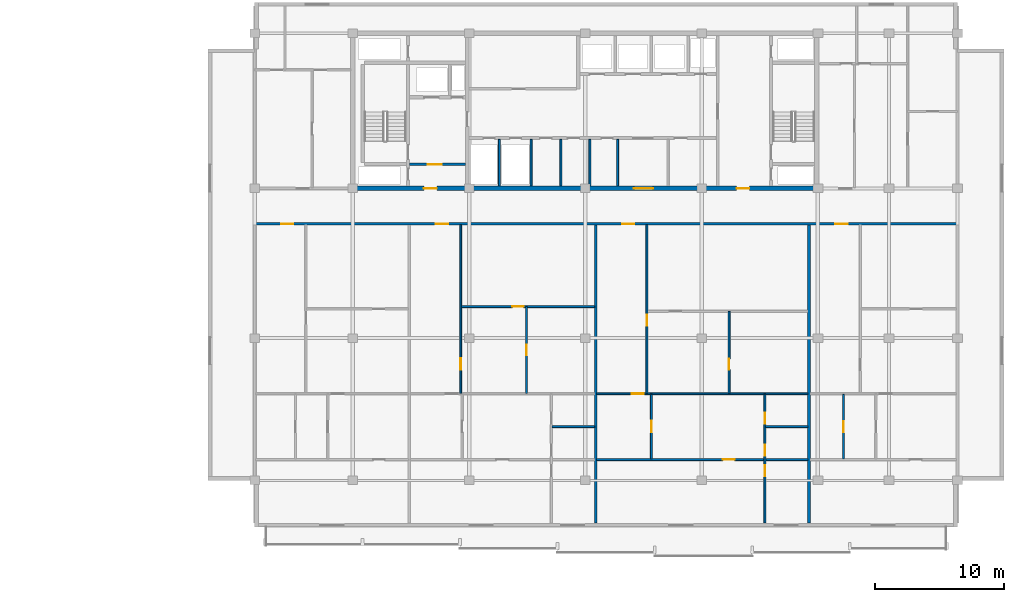
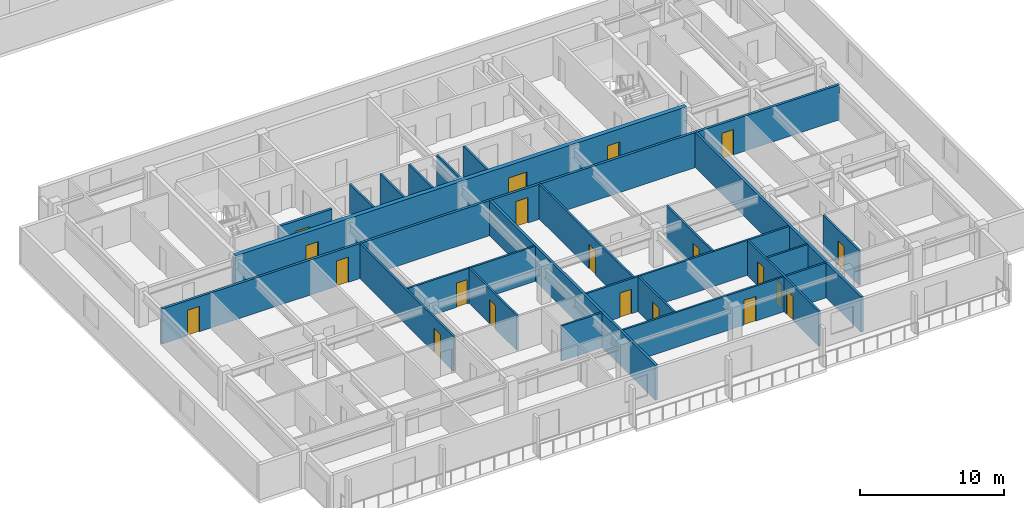
# One storey, part 5 of 21: 22 walls, 20 doors, 20 openings.
"""IFC4 building model written with IfcOpenShell, lengths in metres."""

import ifcopenshell
import ifcopenshell.guid

model = None  # the IFC model being written
_history = None  # IfcOwnerHistory: only IFC2X3 demands one
_inside = {}  # id of a spatial element -> (the spatial element, [elements in it])
_under = {}  # id of a project, library or spatial element -> (it, [spatial elements below it])
_declared = {}  # id of a project -> (the project, [libraries it declares])
_typed = {}  # id of a type object -> (the type object, [elements of that type])
_made_of = {}  # id of a material, layer set ... -> (it, [elements and type objects made of it])


def new_model(schema):
    """Start an empty IFC model of exactly this schema.

    Asked for "IFC4X3", IfcOpenShell would pick the latest addendum, in which some entities
    have other attributes; the version numbers below select the first issue.
    IFC2X3 requires an IfcOwnerHistory on every rooted entity: one is made here for all.
    """
    global model, _history
    if schema == "IFC4X3":
        model = ifcopenshell.file(schema_version=(4, 3, 0, 0))
    else:
        model = ifcopenshell.file(schema=schema)
    _inside.clear()
    _under.clear()
    _declared.clear()
    _typed.clear()
    _made_of.clear()
    _history = None
    if model.schema == "IFC2X3":
        org = make("IfcOrganization", Name="unknown")
        user = make(
            "IfcPersonAndOrganization",
            ThePerson=make("IfcPerson", FamilyName="unknown"),
            TheOrganization=org,
        )
        app = make(
            "IfcApplication",
            ApplicationDeveloper=org,
            Version="unknown",
            ApplicationFullName="unknown",
            ApplicationIdentifier="unknown",
        )
        _history = make(
            "IfcOwnerHistory",
            OwningUser=user,
            OwningApplication=app,
            ChangeAction="ADDED",
            CreationDate=0,
        )
    return model


def make(cls, **values):
    """One entity of the class cls with the attributes given. An attribute that is None is left unset."""
    return model.create_entity(
        cls, **{name: value for name, value in values.items() if value is not None}
    )


def rooted(cls, **values):
    """An entity with a GlobalId (a new one), such as an element, a storey or a relation."""
    return make(cls, GlobalId=ifcopenshell.guid.new(), OwnerHistory=_history, **values)


def si_unit(unit_type, name, prefix=None):
    """IfcSIUnit, for example si_unit("LENGTHUNIT", "METRE", prefix="MILLI")."""
    return make("IfcSIUnit", UnitType=unit_type, Prefix=prefix, Name=name)


def assignment(units):
    """IfcUnitAssignment: the units of a project."""
    return None if units is None else make("IfcUnitAssignment", Units=units)


def point(xyz):
    """IfcCartesianPoint."""
    return None if xyz is None else make("IfcCartesianPoint", Coordinates=xyz)


def direction(xyz):
    """IfcDirection."""
    return None if xyz is None else make("IfcDirection", DirectionRatios=xyz)


def frame(location, z_axis=None, x_axis=None):
    """IfcAxis2Placement3D, a coordinate frame: its origin and axes. An axis left out is left unset."""
    return make(
        "IfcAxis2Placement3D",
        Location=point(location),
        Axis=direction(z_axis),
        RefDirection=direction(x_axis),
    )


def frame_2d(location, x_axis=None):
    """IfcAxis2Placement2D, a coordinate frame in the plane: its origin and x axis."""
    return make(
        "IfcAxis2Placement2D", Location=point(location), RefDirection=direction(x_axis)
    )


def origin():
    """The frame at (0, 0, 0) with its axes left unset."""
    return frame((0.0, 0.0, 0.0))


def place(relative_to, where):
    """IfcLocalPlacement: puts the frame where relative to a parent placement (None: the world)."""
    return make(
        "IfcLocalPlacement", PlacementRelTo=relative_to, RelativePlacement=where
    )


def context(
    kind, dimensions, precision=None, world=None, true_north=None, identifier=None
):
    """IfcGeometricRepresentationContext, for example the 3D "Model" context."""
    return make(
        "IfcGeometricRepresentationContext",
        ContextIdentifier=identifier,
        ContextType=kind,
        CoordinateSpaceDimension=dimensions,
        Precision=precision,
        WorldCoordinateSystem=world,
        TrueNorth=true_north,
    )


def subcontext(parent, identifier, kind, view, scale=None):
    """IfcGeometricRepresentationSubContext, for example "Body" below "Model"."""
    return make(
        "IfcGeometricRepresentationSubContext",
        ContextIdentifier=identifier,
        ContextType=kind,
        ParentContext=parent,
        TargetScale=scale,
        TargetView=view,
    )


def project(units=None, contexts=None):
    """IfcProject with its units and contexts."""
    return rooted(
        "IfcProject",
        Name="project",
        RepresentationContexts=contexts,
        UnitsInContext=assignment(units),
    )


def spatial(cls, under=None, at=None, **own):
    """A site, building, storey or space (cls), placed at a placement, below another one or the project."""
    s = rooted(cls, ObjectPlacement=at, **own)
    if under is not None:
        _under.setdefault(under.id(), (under, []))[1].append(s)
    return s


def profile(cls, at=None, kind="AREA", **sizes):
    """A parametric profile (cls). Its sizes go by their IFC names, for example OverallWidth=200.0."""
    return make(cls, ProfileType=kind, Position=at, **sizes)


def rectangle(**sizes):
    """IfcRectangleProfileDef."""
    return profile("IfcRectangleProfileDef", **sizes)


def extrude(swept, where, along, depth):
    """IfcExtrudedAreaSolid: the profile swept, set in the frame where, extruded along a direction by depth."""
    return make(
        "IfcExtrudedAreaSolid",
        SweptArea=swept,
        Position=where,
        ExtrudedDirection=direction(along),
        Depth=depth,
    )


def shape(context_of_items, identifier, shape_type, items):
    """IfcShapeRepresentation: the items that make up one representation, for example the "Body"."""
    return make(
        "IfcShapeRepresentation",
        ContextOfItems=context_of_items,
        RepresentationIdentifier=identifier,
        RepresentationType=shape_type,
        Items=items,
    )


def material(Name=None, Category=None):
    """IfcMaterial."""
    return make("IfcMaterial", Name=Name, Category=Category)


def layer(
    of_material, thickness, ventilated=None, Name=None, Category=None, Priority=None
):
    """IfcMaterialLayer: one layer of a wall or slab, of a material (None: an air gap)."""
    return make(
        "IfcMaterialLayer",
        Material=of_material,
        LayerThickness=thickness,
        IsVentilated=ventilated,
        Name=Name,
        Category=Category,
        Priority=Priority,
    )


def layer_set(layers, Name=None):
    """IfcMaterialLayerSet."""
    return make("IfcMaterialLayerSet", MaterialLayers=layers, LayerSetName=Name)


def made_of(thing, what):
    """Note that an element or type object is made of a material, layer set ...; save() writes the relation."""
    if what is not None:
        _made_of.setdefault(what.id(), (what, []))[1].append(thing)
    return thing


def type_object(cls, material=None, **own):
    """A type object (cls), such as IfcWallType, which elements share."""
    return made_of(rooted(cls, **own), material)


def element(
    cls,
    number,
    at=None,
    inside=None,
    cuts=None,
    type_object=None,
    material=None,
    context=None,
    identifier="Body",
    shape_type=None,
    held_by="IfcProductDefinitionShape",
    body=None,
    shapes=None,
    **own,
):
    """One element of the class cls, such as IfcWall. Its Tag is "e" and its number.

    at: its placement. inside: the storey or other place that contains it. cuts: it is an
    opening in that element (IfcRelVoidsElement). A single representation is given by context,
    identifier, shape_type and body (its items); several are given by shapes. held_by: the class
    of the entity that holds the representations. save() writes the other relations.
    """
    e = rooted(cls, Tag="e%d" % number, ObjectPlacement=at, **own)
    if body is not None:
        shapes = [shape(context, identifier, shape_type, body)]
    if shapes is not None:
        e.Representation = make(held_by, Representations=shapes)
    if inside is not None:
        _inside.setdefault(inside.id(), (inside, []))[1].append(e)
    if cuts is not None:
        rooted(
            "IfcRelVoidsElement", RelatingBuildingElement=cuts, RelatedOpeningElement=e
        )
    if type_object is not None:
        _typed.setdefault(type_object.id(), (type_object, []))[1].append(e)
    return made_of(e, material)


def fill(opening, filler):
    """IfcRelFillsElement: the door or window that sits in an opening."""
    return rooted(
        "IfcRelFillsElement",
        RelatingOpeningElement=opening,
        RelatedBuildingElement=filler,
    )


def aggregate(whole, parts):
    """IfcRelAggregates: a whole, such as a stair, and the parts it consists of."""
    return rooted("IfcRelAggregates", RelatingObject=whole, RelatedObjects=parts)


def save(model, path):
    """Write the relations noted so far, then the file.

    IfcRelAggregates (storeys below a building ...), IfcRelContainedInSpatialStructure (elements
    in a storey), IfcRelDefinesByType, IfcRelAssociatesMaterial and IfcRelDeclares: one each for
    every whole, place, type object, material and project.
    """
    for whole, parts in _under.values():
        aggregate(whole, parts)
    for where, things in _inside.values():
        rooted(
            "IfcRelContainedInSpatialStructure",
            RelatedElements=things,
            RelatingStructure=where,
        )
    for kind, things in _typed.values():
        rooted("IfcRelDefinesByType", RelatedObjects=things, RelatingType=kind)
    for what, things in _made_of.values():
        rooted("IfcRelAssociatesMaterial", RelatedObjects=things, RelatingMaterial=what)
    for by, libraries in _declared.values():
        rooted("IfcRelDeclares", RelatingContext=by, RelatedDefinitions=libraries)
    model.write(path)


model = new_model("IFC4")

# Units and contexts
model_context = context("Model", 3, precision=1e-05, world=origin(), true_north=direction((0.0, 1.0)))
body_context = subcontext(model_context, "Body", "Model", "MODEL_VIEW")
ifc_project = project(units=[si_unit("LENGTHUNIT", "METRE"), si_unit("AREAUNIT", "SQUARE_METRE"), si_unit("VOLUMEUNIT", "CUBIC_METRE"), si_unit("PLANEANGLEUNIT", "RADIAN"), si_unit("MASSUNIT", "GRAM", prefix="KILO")], contexts=[model_context])

# Site, building, storey
site_placement = place(None, origin())
site = spatial("IfcSite", under=ifc_project, at=site_placement, CompositionType="ELEMENT")
building_placement = place(site_placement, origin())
building = spatial("IfcBuilding", under=site, at=building_placement, Name="Korimba Cascade Residences", CompositionType="ELEMENT")
storey_placement = place(building_placement, frame((0.0, 0.0, 188.10009765625)))
storey = spatial("IfcBuildingStorey", under=building, at=storey_placement, Name="L54", CompositionType="ELEMENT", Elevation=188.10009765625)

# Wall, openings, doors
ifc_material_1 = material(Name="Concrete C65/80", Category="concrete")
ifc_layer_1 = layer(ifc_material_1, 0.35009765625)
ifc_layer_set_1 = layer_set([ifc_layer_1], Name="Concrete C65/80")
wall_type_1 = type_object("IfcWallType", Name="WAL-CORE-350", PredefinedType="SHEAR", material=ifc_layer_set_1)
wall_1_placement = place(storey_placement, frame((81.925048828125, 18.39990234375, 0.0), z_axis=(0.0, 0.0, 1.0), x_axis=(1.0, 0.0, 0.0)))
wall_1 = element("IfcWall", 1, at=wall_1_placement, inside=storey, type_object=wall_type_1, Name="L54 Core Shear Wall CW-L54-T2-S", PredefinedType="SHEAR", context=body_context, shape_type="SweptSolid", body=[
    extrude(rectangle(XDim=36.264892578125, YDim=0.35009765625, at=frame_2d((18.13232421875, 0.0))), origin(), (0.0, 0.0, 1.0), 3.25),
])
opening_1_placement = place(wall_1_placement, frame((5.675048828125, 0.0, 0.0)))
opening_1 = element("IfcOpeningElement", 2, at=opening_1_placement, cuts=wall_1, Name="Opening D-FD5", PredefinedType="OPENING", context=body_context, shape_type="SweptSolid", body=[
    extrude(rectangle(XDim=1.0, YDim=2.14990234375, at=frame_2d((0.5, 1.074951171875))), frame((0.0, 0.18505859375, 0.0), z_axis=(0.0, -1.0, 0.0), x_axis=(1.0, 0.0, 0.0)), (0.0, 0.0, 1.0), 0.3701171875),
])
opening_2_placement = place(wall_1_placement, frame((21.925048828125, 0.0, 0.0)))
opening_2 = element("IfcOpeningElement", 3, at=opening_2_placement, cuts=wall_1, Name="Opening D-FD8", PredefinedType="OPENING", context=body_context, shape_type="SweptSolid", body=[
    extrude(rectangle(XDim=1.5, YDim=2.199951171875, at=frame_2d((0.75, 1.10009765625))), frame((0.0, 0.18505859375, 0.0), z_axis=(0.0, -1.0, 0.0), x_axis=(1.0, 0.0, 0.0)), (0.0, 0.0, 1.0), 0.3701171875),
])
opening_3_placement = place(wall_1_placement, frame((29.875, 0.0, 0.0)))
opening_3 = element("IfcOpeningElement", 4, at=opening_3_placement, cuts=wall_1, Name="Opening D-FD5", PredefinedType="OPENING", context=body_context, shape_type="SweptSolid", body=[
    extrude(rectangle(XDim=1.0, YDim=2.14990234375, at=frame_2d((0.5, 1.074951171875))), frame((0.0, 0.18505859375, 0.0), z_axis=(0.0, -1.0, 0.0), x_axis=(1.0, 0.0, 0.0)), (0.0, 0.0, 1.0), 0.3701171875),
])
ifc_material_2 = material(Name="Fire-Rated Acoustic Timber Vestibule Door", Category="wood")
door_type_1 = type_object("IfcDoorType", Name="DR-FD90-1000", OperationType="NOTDEFINED", PredefinedType="DOOR", material=ifc_material_2)
door_1_placement = place(opening_1_placement, origin())
door_1 = element("IfcDoor", 5, at=door_1_placement, inside=storey, type_object=door_type_1, Name="L54 T2 West Core Vestibule Fire Door", OperationType="SINGLE_SWING_RIGHT", OverallHeight=2.14990234375, OverallWidth=1.0, PredefinedType="DOOR", context=body_context, shape_type="SweptSolid", body=[
    extrude(rectangle(XDim=1.0, YDim=2.14990234375, at=frame_2d((0.5, 1.074951171875))), frame((0.0, 0.02490234375, 0.0), z_axis=(0.0, -1.0, 0.0), x_axis=(1.0, 0.0, 0.0)), (0.0, 0.0, 1.0), 0.050048828125),
])
fill(opening_1, door_1)
door_2_placement = place(opening_3_placement, origin())
door_2 = element("IfcDoor", 6, at=door_2_placement, inside=storey, type_object=door_type_1, Name="L54 T2 East Stair Vestibule Fire Door", OperationType="SINGLE_SWING_LEFT", OverallHeight=2.14990234375, OverallWidth=1.0, PredefinedType="DOOR", context=body_context, shape_type="SweptSolid", body=[
    extrude(rectangle(XDim=1.0, YDim=2.14990234375, at=frame_2d((0.5, 1.074951171875))), frame((0.0, 0.02490234375, 0.0), z_axis=(0.0, -1.0, 0.0), x_axis=(1.0, 0.0, 0.0)), (0.0, 0.0, 1.0), 0.050048828125),
])
fill(opening_3, door_2)
ifc_material_3 = material(Name="Fire-Rated Glazed Lift Lobby Double Door", Category="glass")
door_type_2 = type_object("IfcDoorType", Name="DR-FD90-1500", OperationType="NOTDEFINED", PredefinedType="DOOR", material=ifc_material_3)
door_3_placement = place(opening_2_placement, origin())
door_3 = element("IfcDoor", 7, at=door_3_placement, inside=storey, type_object=door_type_2, Name="L54 T2 Lift Lobby Fire Door", OperationType="DOUBLE_DOOR_SINGLE_SWING", OverallHeight=2.199951171875, OverallWidth=1.5, PredefinedType="DOOR", context=body_context, shape_type="SweptSolid", body=[
    extrude(rectangle(XDim=1.5, YDim=2.199951171875, at=frame_2d((0.75, 1.10009765625))), frame((0.0, 0.02490234375, 0.0), z_axis=(0.0, -1.0, 0.0), x_axis=(1.0, 0.0, 0.0)), (0.0, 0.0, 1.0), 0.050048828125),
])
fill(opening_2, door_3)

# Walls
ifc_material_4 = material(Name="Precast concrete C40/50", Category="concrete")
ifc_layer_2 = layer(ifc_material_4, 0.199951171875)
ifc_layer_set_2 = layer_set([ifc_layer_2], Name="Precast concrete C40/50")
wall_type_2 = type_object("IfcWallType", Name="WAL-IT-200", PredefinedType="PARTITIONING", material=ifc_layer_set_2)
for number, where, z_axis, x_axis, name in (
    (8, (100.8916015625, -7.5, 0.0), (0.0, 0.0, 1.0), (0.0, 1.0, 0.0), "L54 Partition Wall WAL-L54-T2-DEM-2"),
    (9, (117.408203125, -7.5, 0.0), (0.0, 0.0, 1.0), (0.0, 1.0, 0.0), "L54 Partition Wall WAL-L54-T2-DEM-3"),
):
    element("IfcWall", number, at=place(storey_placement, frame(where, z_axis=z_axis, x_axis=x_axis)), inside=storey, type_object=wall_type_2, Name=name, PredefinedType="PARTITIONING", context=body_context, shape_type="SweptSolid", body=[
        extrude(rectangle(XDim=23.070068359375, YDim=0.199951171875, at=frame_2d((11.53515625, 0.0))), origin(), (0.0, 0.0, 1.0), 2.969970703125),
    ])

# Wall, openings, doors
wall_2_placement = place(storey_placement, frame((74.5, 15.64990234375, 0.0), z_axis=(0.0, 0.0, 1.0), x_axis=(1.0, 0.0, 0.0)))
wall_2 = element("IfcWall", 10, at=wall_2_placement, inside=storey, type_object=wall_type_2, Name="L54 Partition Wall WAL-L54-T2-CORS", PredefinedType="PARTITIONING", context=body_context, shape_type="SweptSolid", body=[
    extrude(rectangle(XDim=54.39990234375, YDim=0.199951171875, at=frame_2d((27.199951171875, 0.0))), origin(), (0.0, 0.0, 1.0), 2.969970703125),
])
opening_4_placement = place(wall_2_placement, frame((2.044921875, 0.0, 0.0)))
opening_4 = element("IfcOpeningElement", 11, at=opening_4_placement, cuts=wall_2, Name="Opening D-UN1", PredefinedType="OPENING", context=body_context, shape_type="SweptSolid", body=[
    extrude(rectangle(XDim=0.949951171875, YDim=2.14990234375, at=frame_2d((0.47509765625, 1.074951171875))), frame((0.0, 0.10986328125, 0.0), z_axis=(0.0, -1.0, 0.0), x_axis=(1.0, 0.0, 0.0)), (0.0, 0.0, 1.0), 0.219970703125),
])
opening_5_placement = place(wall_2_placement, frame((14.0283203125, 0.0, 0.0)))
opening_5 = element("IfcOpeningElement", 12, at=opening_5_placement, cuts=wall_2, Name="Opening D-UN1", PredefinedType="OPENING", context=body_context, shape_type="SweptSolid", body=[
    extrude(rectangle(XDim=0.949951171875, YDim=2.14990234375, at=frame_2d((0.47509765625, 1.074951171875))), frame((0.0, 0.10986328125, 0.0), z_axis=(0.0, -1.0, 0.0), x_axis=(1.0, 0.0, 0.0)), (0.0, 0.0, 1.0), 0.219970703125),
])
opening_6_placement = place(wall_2_placement, frame((28.4365234375, 0.0, 0.0)))
opening_6 = element("IfcOpeningElement", 13, at=opening_6_placement, cuts=wall_2, Name="Opening D-UN1", PredefinedType="OPENING", context=body_context, shape_type="SweptSolid", body=[
    extrude(rectangle(XDim=0.949951171875, YDim=2.14990234375, at=frame_2d((0.47509765625, 1.074951171875))), frame((0.0, 0.10986328125, 0.0), z_axis=(0.0, -1.0, 0.0), x_axis=(1.0, 0.0, 0.0)), (0.0, 0.0, 1.0), 0.219970703125),
])
opening_7_placement = place(wall_2_placement, frame((44.953369140625, 0.0, 0.0)))
opening_7 = element("IfcOpeningElement", 14, at=opening_7_placement, cuts=wall_2, Name="Opening D-UN1", PredefinedType="OPENING", context=body_context, shape_type="SweptSolid", body=[
    extrude(rectangle(XDim=0.949951171875, YDim=2.14990234375, at=frame_2d((0.47509765625, 1.074951171875))), frame((0.0, 0.10986328125, 0.0), z_axis=(0.0, -1.0, 0.0), x_axis=(1.0, 0.0, 0.0)), (0.0, 0.0, 1.0), 0.219970703125),
])
ifc_material_5 = material(Name="Fire-Rated Hardwood Apartment Entrance Door", Category="wood")
door_type_3 = type_object("IfcDoorType", Name="DR-FD60-950", OperationType="NOTDEFINED", PredefinedType="DOOR", material=ifc_material_5)
door_4_placement = place(opening_4_placement, origin())
door_4 = element("IfcDoor", 15, at=door_4_placement, inside=storey, type_object=door_type_3, Name="Unit L54-T2-U01 Entrance Door", OperationType="SINGLE_SWING_RIGHT", OverallHeight=2.14990234375, OverallWidth=0.949951171875, PredefinedType="DOOR", context=body_context, shape_type="SweptSolid", body=[
    extrude(rectangle(XDim=0.949951171875, YDim=2.14990234375, at=frame_2d((0.47509765625, 1.074951171875))), frame((0.0, 0.02490234375, 0.0), z_axis=(0.0, -1.0, 0.0), x_axis=(1.0, 0.0, 0.0)), (0.0, 0.0, 1.0), 0.050048828125),
])
fill(opening_4, door_4)
door_5_placement = place(opening_5_placement, origin())
door_5 = element("IfcDoor", 16, at=door_5_placement, inside=storey, type_object=door_type_3, Name="Unit L54-T2-U02 Entrance Door", OperationType="SINGLE_SWING_LEFT", OverallHeight=2.14990234375, OverallWidth=0.949951171875, PredefinedType="DOOR", context=body_context, shape_type="SweptSolid", body=[
    extrude(rectangle(XDim=0.949951171875, YDim=2.14990234375, at=frame_2d((0.47509765625, 1.074951171875))), frame((0.0, 0.02490234375, 0.0), z_axis=(0.0, -1.0, 0.0), x_axis=(1.0, 0.0, 0.0)), (0.0, 0.0, 1.0), 0.050048828125),
])
fill(opening_5, door_5)
door_6_placement = place(opening_6_placement, origin())
door_6 = element("IfcDoor", 17, at=door_6_placement, inside=storey, type_object=door_type_3, Name="Unit L54-T2-U03 Entrance Door", OperationType="SINGLE_SWING_RIGHT", OverallHeight=2.14990234375, OverallWidth=0.949951171875, PredefinedType="DOOR", context=body_context, shape_type="SweptSolid", body=[
    extrude(rectangle(XDim=0.949951171875, YDim=2.14990234375, at=frame_2d((0.47509765625, 1.074951171875))), frame((0.0, 0.02490234375, 0.0), z_axis=(0.0, -1.0, 0.0), x_axis=(1.0, 0.0, 0.0)), (0.0, 0.0, 1.0), 0.050048828125),
])
fill(opening_6, door_6)
door_7_placement = place(opening_7_placement, origin())
door_7 = element("IfcDoor", 18, at=door_7_placement, inside=storey, type_object=door_type_3, Name="Unit L54-T2-U04 Entrance Door", OperationType="SINGLE_SWING_LEFT", OverallHeight=2.14990234375, OverallWidth=0.949951171875, PredefinedType="DOOR", context=body_context, shape_type="SweptSolid", body=[
    extrude(rectangle(XDim=0.949951171875, YDim=2.14990234375, at=frame_2d((0.47509765625, 1.074951171875))), frame((0.0, 0.02490234375, 0.0), z_axis=(0.0, -1.0, 0.0), x_axis=(1.0, 0.0, 0.0)), (0.0, 0.0, 1.0), 0.050048828125),
])
fill(opening_7, door_7)

# Walls
ifc_material_6 = material(Name="Insulated Acoustic Stud Partition", Category="gypsum")
ifc_layer_3 = layer(ifc_material_6, 0.14990234375)
ifc_layer_set_3 = layer_set([ifc_layer_3], Name="Insulated Acoustic Stud Partition")
wall_type_3 = type_object("IfcWallType", Name="WAL-PART-150", PredefinedType="PARTITIONING", material=ifc_layer_set_3)
for number, where, z_axis, x_axis, name in (
    (19, (93.449951171875, 18.60009765625, 0.0), (0.0, 0.0, 1.0), (0.0, 1.0, 0.0), "L54 Partition Wall CW-L54-T2-ERDIV"),
    (20, (95.89990234375, 18.60009765625, 0.0), (0.0, 0.0, 1.0), (0.0, 1.0, 0.0), "L54 Partition Wall CW-L54-T2-PRDIV"),
    (21, (98.199951171875, 18.60009765625, 0.0), (0.0, 0.0, 1.0), (0.0, 1.0, 0.0), "L54 Partition Wall CW-L54-T2-CA1W1"),
    (22, (100.449951171875, 18.60009765625, 0.0), (0.0, 0.0, 1.0), (0.0, 1.0, 0.0), "L54 Partition Wall CW-L54-T2-CA1W2"),
    (23, (102.60009765625, 18.60009765625, 0.0), (0.0, 0.0, 1.0), (0.0, 1.0, 0.0), "L54 Partition Wall CW-L54-T2-THW"),
):
    element("IfcWall", number, at=place(storey_placement, frame(where, z_axis=z_axis, x_axis=x_axis)), inside=storey, type_object=wall_type_3, Name=name, PredefinedType="PARTITIONING", context=body_context, shape_type="SweptSolid", body=[
        extrude(rectangle(XDim=3.599853515625, YDim=0.14990234375, at=frame_2d((1.7998046875, 0.0))), origin(), (0.0, 0.0, 1.0), 2.969970703125),
    ])

# Wall, opening, door
wall_3_placement = place(storey_placement, frame((95.54248046875, 2.5400390625, 0.0), z_axis=(0.0, 0.0, 1.0), x_axis=(0.0, 1.0, 0.0)))
wall_3 = element("IfcWall", 24, at=wall_3_placement, inside=storey, type_object=wall_type_3, Name="L54 Partition Wall WAL-L54-T2-U02-FMV", PredefinedType="PARTITIONING", context=body_context, shape_type="SweptSolid", body=[
    extrude(rectangle(XDim=6.705078125, YDim=0.14990234375, at=frame_2d((3.3525390625, 0.0))), origin(), (0.0, 0.0, 1.0), 2.969970703125),
])
opening_8_placement = place(wall_3_placement, frame((2.9326171875, 0.0, 0.0)))
opening_8 = element("IfcOpeningElement", 25, at=opening_8_placement, cuts=wall_3, Name="Opening D-BT1", PredefinedType="OPENING", context=body_context, shape_type="SweptSolid", body=[
    extrude(rectangle(XDim=0.840087890625, YDim=2.0400390625, at=frame_2d((0.419921875, 1.02001953125))), frame((0.0, 0.0849609375, 0.0), z_axis=(0.0, -1.0, 0.0), x_axis=(1.0, 0.0, 0.0)), (0.0, 0.0, 1.0), 0.169921875),
])
ifc_material_7 = material(Name="Moisture-Resistant Bathroom Timber Door", Category="wood")
door_type_4 = type_object("IfcDoorType", Name="DR-INT-850", OperationType="NOTDEFINED", PredefinedType="DOOR", material=ifc_material_7)
door_8_placement = place(opening_8_placement, origin())
door_8 = element("IfcDoor", 26, at=door_8_placement, inside=storey, type_object=door_type_4, Name="L54-T2-U02 Wardrobe Door", OperationType="SINGLE_SWING_RIGHT", OverallHeight=2.0400390625, OverallWidth=0.840087890625, PredefinedType="DOOR", context=body_context, shape_type="SweptSolid", body=[
    extrude(rectangle(XDim=0.840087890625, YDim=2.0400390625, at=frame_2d((0.419921875, 1.02001953125))), frame((0.0, 0.02490234375, 0.0), z_axis=(0.0, -1.0, 0.0), x_axis=(1.0, 0.0, 0.0)), (0.0, 0.0, 1.0), 0.050048828125),
])
fill(opening_8, door_8)

wall_4_placement = place(storey_placement, frame((90.51318359375, 9.2451171875, 0.0), z_axis=(0.0, 0.0, 1.0), x_axis=(1.0, 0.0, 0.0)))
wall_4 = element("IfcWall", 27, at=wall_4_placement, inside=storey, type_object=wall_type_3, Name="L54 Partition Wall WAL-L54-T2-U02-FMH", PredefinedType="PARTITIONING", context=body_context, shape_type="SweptSolid", body=[
    extrude(rectangle(XDim=10.29833984375, YDim=0.14990234375, at=frame_2d((5.149169921875, 0.0))), origin(), (0.0, 0.0, 1.0), 2.969970703125),
])
opening_9_placement = place(wall_4_placement, frame((3.92919921875, 0.0, 0.0)))
opening_9 = element("IfcOpeningElement", 28, at=opening_9_placement, cuts=wall_4, Name="Opening D-IN2", PredefinedType="OPENING", context=body_context, shape_type="SweptSolid", body=[
    extrude(rectangle(XDim=0.8798828125, YDim=2.06005859375, at=frame_2d((0.43994140625, 1.030029296875))), frame((0.0, 0.0849609375, 0.0), z_axis=(0.0, -1.0, 0.0), x_axis=(1.0, 0.0, 0.0)), (0.0, 0.0, 1.0), 0.169921875),
])
ifc_material_8 = material(Name="Acoustic Timber Bedroom Door", Category="wood")
door_type_5 = type_object("IfcDoorType", Name="DR-INT-880", OperationType="NOTDEFINED", PredefinedType="DOOR", material=ifc_material_8)
door_9_placement = place(opening_9_placement, origin())
door_9 = element("IfcDoor", 29, at=door_9_placement, inside=storey, type_object=door_type_5, Name="L54-T2-U02 Library Salon Door", OperationType="SINGLE_SWING_LEFT", OverallHeight=2.06005859375, OverallWidth=0.8798828125, PredefinedType="DOOR", context=body_context, shape_type="SweptSolid", body=[
    extrude(rectangle(XDim=0.8798828125, YDim=2.06005859375, at=frame_2d((0.43994140625, 1.030029296875))), frame((0.0, 0.02490234375, 0.0), z_axis=(0.0, -1.0, 0.0), x_axis=(1.0, 0.0, 0.0)), (0.0, 0.0, 1.0), 0.050048828125),
])
fill(opening_9, door_9)

wall_5_placement = place(storey_placement, frame((90.453369140625, 2.5400390625, 0.0), z_axis=(0.0, 0.0, 1.0), x_axis=(0.0, 1.0, 0.0)))
wall_5 = element("IfcWall", 30, at=wall_5_placement, inside=storey, type_object=wall_type_3, Name="L54 Partition Wall WAL-L54-T2-U02-FV", PredefinedType="PARTITIONING", context=body_context, shape_type="SweptSolid", body=[
    extrude(rectangle(XDim=13.050048828125, YDim=0.14990234375, at=frame_2d((6.52490234375, 0.0))), origin(), (0.0, 0.0, 1.0), 2.969970703125),
])
opening_10_placement = place(wall_5_placement, frame((1.81298828125, 0.0, 0.0)))
opening_10 = element("IfcOpeningElement", 31, at=opening_10_placement, cuts=wall_5, Name="Opening D-IN2", PredefinedType="OPENING", context=body_context, shape_type="SweptSolid", body=[
    extrude(rectangle(XDim=0.8798828125, YDim=2.06005859375, at=frame_2d((0.43994140625, 1.030029296875))), frame((0.0, 0.0849609375, 0.0), z_axis=(0.0, -1.0, 0.0), x_axis=(1.0, 0.0, 0.0)), (0.0, 0.0, 1.0), 0.169921875),
])
door_10_placement = place(opening_10_placement, origin())
door_10 = element("IfcDoor", 32, at=door_10_placement, inside=storey, type_object=door_type_5, Name="L54-T2-U02 Media Lounge Door", OperationType="SINGLE_SWING_RIGHT", OverallHeight=2.06005859375, OverallWidth=0.8798828125, PredefinedType="DOOR", context=body_context, shape_type="SweptSolid", body=[
    extrude(rectangle(XDim=0.8798828125, YDim=2.06005859375, at=frame_2d((0.43994140625, 1.030029296875))), frame((0.0, 0.02490234375, 0.0), z_axis=(0.0, -1.0, 0.0), x_axis=(1.0, 0.0, 0.0)), (0.0, 0.0, 1.0), 0.050048828125),
])
fill(opening_10, door_10)

# Wall
wall_6_placement = place(storey_placement, frame((97.531494140625, -0.0400390625, 0.0), z_axis=(0.0, 0.0, 1.0), x_axis=(1.0, 0.0, 0.0)))
element("IfcWall", 33, at=wall_6_placement, inside=storey, type_object=wall_type_3, Name="L54 Partition Wall WAL-L54-T2-U02-BLDIV", PredefinedType="PARTITIONING", context=body_context, shape_type="SweptSolid", body=[
    extrude(rectangle(XDim=3.280029296875, YDim=0.14990234375, at=frame_2d((1.64013671875, 0.0))), origin(), (0.0, 0.0, 1.0), 2.969970703125),
])

# Wall, opening, door
wall_7_placement = place(storey_placement, frame((111.224853515625, 2.5400390625, 0.0), z_axis=(0.0, 0.0, 1.0), x_axis=(0.0, 1.0, 0.0)))
wall_7 = element("IfcWall", 34, at=wall_7_placement, inside=storey, type_object=wall_type_3, Name="L54 Partition Wall WAL-L54-T2-U03-FMV", PredefinedType="PARTITIONING", context=body_context, shape_type="SweptSolid", body=[
    extrude(rectangle(XDim=6.344970703125, YDim=0.14990234375, at=frame_2d((3.17236328125, 0.0))), origin(), (0.0, 0.0, 1.0), 2.969970703125),
])
opening_11_placement = place(wall_7_placement, frame((1.821533203125, 0.0, 0.0)))
opening_11 = element("IfcOpeningElement", 35, at=opening_11_placement, cuts=wall_7, Name="Opening D-BT1", PredefinedType="OPENING", context=body_context, shape_type="SweptSolid", body=[
    extrude(rectangle(XDim=0.840087890625, YDim=2.0400390625, at=frame_2d((0.419921875, 1.02001953125))), frame((0.0, 0.0849609375, 0.0), z_axis=(0.0, -1.0, 0.0), x_axis=(1.0, 0.0, 0.0)), (0.0, 0.0, 1.0), 0.169921875),
])
door_11_placement = place(opening_11_placement, origin())
door_11 = element("IfcDoor", 36, at=door_11_placement, inside=storey, type_object=door_type_4, Name="L54-T2-U03 Wardrobe Door", OperationType="SINGLE_SWING_LEFT", OverallHeight=2.0400390625, OverallWidth=0.840087890625, PredefinedType="DOOR", context=body_context, shape_type="SweptSolid", body=[
    extrude(rectangle(XDim=0.840087890625, YDim=2.0400390625, at=frame_2d((0.419921875, 1.02001953125))), frame((0.0, 0.02490234375, 0.0), z_axis=(0.0, -1.0, 0.0), x_axis=(1.0, 0.0, 0.0)), (0.0, 0.0, 1.0), 0.050048828125),
])
fill(opening_11, door_11)

wall_8_placement = place(storey_placement, frame((104.861572265625, 2.5400390625, 0.0), z_axis=(0.0, 0.0, 1.0), x_axis=(0.0, 1.0, 0.0)))
wall_8 = element("IfcWall", 37, at=wall_8_placement, inside=storey, type_object=wall_type_3, Name="L54 Partition Wall WAL-L54-T2-U03-FV", PredefinedType="PARTITIONING", context=body_context, shape_type="SweptSolid", body=[
    extrude(rectangle(XDim=13.050048828125, YDim=0.14990234375, at=frame_2d((6.52490234375, 0.0))), origin(), (0.0, 0.0, 1.0), 2.969970703125),
])
opening_12_placement = place(wall_8_placement, frame((5.215087890625, 0.0, 0.0)))
opening_12 = element("IfcOpeningElement", 38, at=opening_12_placement, cuts=wall_8, Name="Opening D-IN2", PredefinedType="OPENING", context=body_context, shape_type="SweptSolid", body=[
    extrude(rectangle(XDim=0.8798828125, YDim=2.06005859375, at=frame_2d((0.43994140625, 1.030029296875))), frame((0.0, 0.0849609375, 0.0), z_axis=(0.0, -1.0, 0.0), x_axis=(1.0, 0.0, 0.0)), (0.0, 0.0, 1.0), 0.169921875),
])
door_12_placement = place(opening_12_placement, origin())
door_12 = element("IfcDoor", 39, at=door_12_placement, inside=storey, type_object=door_type_5, Name="L54-T2-U03 Media Lounge Door", OperationType="SINGLE_SWING_LEFT", OverallHeight=2.06005859375, OverallWidth=0.8798828125, PredefinedType="DOOR", context=body_context, shape_type="SweptSolid", body=[
    extrude(rectangle(XDim=0.8798828125, YDim=2.06005859375, at=frame_2d((0.43994140625, 1.030029296875))), frame((0.0, 0.02490234375, 0.0), z_axis=(0.0, -1.0, 0.0), x_axis=(1.0, 0.0, 0.0)), (0.0, 0.0, 1.0), 0.050048828125),
])
fill(opening_12, door_12)

wall_9_placement = place(storey_placement, frame((105.211669921875, -2.5400390625, 0.0), z_axis=(0.0, 0.0, 1.0), x_axis=(0.0, 1.0, 0.0)))
wall_9 = element("IfcWall", 40, at=wall_9_placement, inside=storey, type_object=wall_type_3, Name="L54 Partition Wall WAL-L54-T2-U03-VDIN", PredefinedType="PARTITIONING", context=body_context, shape_type="SweptSolid", body=[
    extrude(rectangle(XDim=5.0, YDim=0.14990234375, at=frame_2d((2.5, 0.0))), origin(), (0.0, 0.0, 1.0), 2.969970703125),
])
opening_13_placement = place(wall_9_placement, frame((2.06005859375, 0.0, 0.0)))
opening_13 = element("IfcOpeningElement", 41, at=opening_13_placement, cuts=wall_9, Name="Opening D-IN2", PredefinedType="OPENING", context=body_context, shape_type="SweptSolid", body=[
    extrude(rectangle(XDim=0.8798828125, YDim=2.06005859375, at=frame_2d((0.43994140625, 1.030029296875))), frame((0.0, 0.0849609375, 0.0), z_axis=(0.0, -1.0, 0.0), x_axis=(1.0, 0.0, 0.0)), (0.0, 0.0, 1.0), 0.169921875),
])
door_13_placement = place(opening_13_placement, origin())
door_13 = element("IfcDoor", 42, at=door_13_placement, inside=storey, type_object=door_type_5, Name="L54-T2-U03 Dining Room Door", OperationType="SINGLE_SWING_RIGHT", OverallHeight=2.06005859375, OverallWidth=0.8798828125, PredefinedType="DOOR", context=body_context, shape_type="SweptSolid", body=[
    extrude(rectangle(XDim=0.8798828125, YDim=2.06005859375, at=frame_2d((0.43994140625, 1.030029296875))), frame((0.0, 0.02490234375, 0.0), z_axis=(0.0, -1.0, 0.0), x_axis=(1.0, 0.0, 0.0)), (0.0, 0.0, 1.0), 0.050048828125),
])
fill(opening_13, door_13)

# Wall
wall_10_placement = place(storey_placement, frame((114.04833984375, -0.0400390625, 0.0), z_axis=(0.0, 0.0, 1.0), x_axis=(1.0, 0.0, 0.0)))
element("IfcWall", 43, at=wall_10_placement, inside=storey, type_object=wall_type_3, Name="L54 Partition Wall WAL-L54-T2-U03-BLDIV", PredefinedType="PARTITIONING", context=body_context, shape_type="SweptSolid", body=[
    extrude(rectangle(XDim=3.280029296875, YDim=0.14990234375, at=frame_2d((1.64013671875, 0.0))), origin(), (0.0, 0.0, 1.0), 2.969970703125),
])

# Wall, openings, doors
wall_11_placement = place(storey_placement, frame((113.98828125, -7.5, 0.0), z_axis=(0.0, 0.0, 1.0), x_axis=(0.0, 1.0, 0.0)))
wall_11 = element("IfcWall", 44, at=wall_11_placement, inside=storey, type_object=wall_type_3, Name="L54 Partition Wall WAL-L54-T2-U03-V1", PredefinedType="PARTITIONING", context=body_context, shape_type="SweptSolid", body=[
    extrude(rectangle(XDim=9.9599609375, YDim=0.14990234375, at=frame_2d((4.97998046875, 0.0))), origin(), (0.0, 0.0, 1.0), 2.969970703125),
])
opening_14_placement = place(wall_11_placement, frame((5.199951171875, 0.0, 0.0)))
opening_14 = element("IfcOpeningElement", 45, at=opening_14_placement, cuts=wall_11, Name="Opening D-BT1", PredefinedType="OPENING", context=body_context, shape_type="SweptSolid", body=[
    extrude(rectangle(XDim=0.840087890625, YDim=2.0400390625, at=frame_2d((0.419921875, 1.02001953125))), frame((0.0, 0.0849609375, 0.0), z_axis=(0.0, -1.0, 0.0), x_axis=(1.0, 0.0, 0.0)), (0.0, 0.0, 1.0), 0.169921875),
])
opening_15_placement = place(wall_11_placement, frame((7.689697265625, 0.0, 0.0)))
opening_15 = element("IfcOpeningElement", 46, at=opening_15_placement, cuts=wall_11, Name="Opening D-BT1", PredefinedType="OPENING", context=body_context, shape_type="SweptSolid", body=[
    extrude(rectangle(XDim=0.840087890625, YDim=2.0400390625, at=frame_2d((0.419921875, 1.02001953125))), frame((0.0, 0.0849609375, 0.0), z_axis=(0.0, -1.0, 0.0), x_axis=(1.0, 0.0, 0.0)), (0.0, 0.0, 1.0), 0.169921875),
])
opening_16_placement = place(wall_11_placement, frame((3.60009765625, 0.0, 0.0)))
opening_16 = element("IfcOpeningElement", 47, at=opening_16_placement, cuts=wall_11, Name="Opening D-IN2", PredefinedType="OPENING", context=body_context, shape_type="SweptSolid", body=[
    extrude(rectangle(XDim=0.8798828125, YDim=2.06005859375, at=frame_2d((0.43994140625, 1.030029296875))), frame((0.0, 0.0849609375, 0.0), z_axis=(0.0, -1.0, 0.0), x_axis=(1.0, 0.0, 0.0)), (0.0, 0.0, 1.0), 0.169921875),
])
door_14_placement = place(opening_14_placement, origin())
door_14 = element("IfcDoor", 48, at=door_14_placement, inside=storey, type_object=door_type_4, Name="L54-T2-U03 Bathroom Door", OperationType="SINGLE_SWING_LEFT", OverallHeight=2.0400390625, OverallWidth=0.840087890625, PredefinedType="DOOR", context=body_context, shape_type="SweptSolid", body=[
    extrude(rectangle(XDim=0.840087890625, YDim=2.0400390625, at=frame_2d((0.419921875, 1.02001953125))), frame((0.0, 0.02490234375, 0.0), z_axis=(0.0, -1.0, 0.0), x_axis=(1.0, 0.0, 0.0)), (0.0, 0.0, 1.0), 0.050048828125),
])
fill(opening_14, door_14)
door_15_placement = place(opening_15_placement, origin())
door_15 = element("IfcDoor", 49, at=door_15_placement, inside=storey, type_object=door_type_4, Name="L54-T2-U03 Laundry Door", OperationType="SINGLE_SWING_RIGHT", OverallHeight=2.0400390625, OverallWidth=0.840087890625, PredefinedType="DOOR", context=body_context, shape_type="SweptSolid", body=[
    extrude(rectangle(XDim=0.840087890625, YDim=2.0400390625, at=frame_2d((0.419921875, 1.02001953125))), frame((0.0, 0.02490234375, 0.0), z_axis=(0.0, -1.0, 0.0), x_axis=(1.0, 0.0, 0.0)), (0.0, 0.0, 1.0), 0.050048828125),
])
fill(opening_15, door_15)
door_16_placement = place(opening_16_placement, origin())
door_16 = element("IfcDoor", 50, at=door_16_placement, inside=storey, type_object=door_type_5, Name="L54-T2-U03 Bedroom 1 Door", OperationType="SINGLE_SWING_LEFT", OverallHeight=2.06005859375, OverallWidth=0.8798828125, PredefinedType="DOOR", context=body_context, shape_type="SweptSolid", body=[
    extrude(rectangle(XDim=0.8798828125, YDim=2.06005859375, at=frame_2d((0.43994140625, 1.030029296875))), frame((0.0, 0.02490234375, 0.0), z_axis=(0.0, -1.0, 0.0), x_axis=(1.0, 0.0, 0.0)), (0.0, 0.0, 1.0), 0.050048828125),
])
fill(opening_16, door_16)

# Wall, opening, door
wall_12_placement = place(storey_placement, frame((100.9716796875, 2.5, 0.0), z_axis=(0.0, 0.0, 1.0), x_axis=(1.0, 0.0, 0.0)))
wall_12 = element("IfcWall", 51, at=wall_12_placement, inside=storey, type_object=wall_type_3, Name="L54 Partition Wall WAL-L54-T2-U03-MW", PredefinedType="PARTITIONING", context=body_context, shape_type="SweptSolid", body=[
    extrude(rectangle(XDim=16.356689453125, YDim=0.14990234375, at=frame_2d((8.17822265625, 0.0))), origin(), (0.0, 0.0, 1.0), 2.969970703125),
])
opening_17_placement = place(wall_12_placement, frame((2.719970703125, 0.0, 0.0)))
opening_17 = element("IfcOpeningElement", 52, at=opening_17_placement, cuts=wall_12, Name="Opening D-IN1", PredefinedType="OPENING", context=body_context, shape_type="SweptSolid", body=[
    extrude(rectangle(XDim=0.919921875, YDim=2.080078125, at=frame_2d((0.4599609375, 1.0400390625))), frame((0.0, 0.0849609375, 0.0), z_axis=(0.0, -1.0, 0.0), x_axis=(1.0, 0.0, 0.0)), (0.0, 0.0, 1.0), 0.169921875),
])
ifc_material_9 = material(Name="Acoustic Timber Living Door", Category="wood")
door_type_6 = type_object("IfcDoorType", Name="DR-INT-920", OperationType="NOTDEFINED", PredefinedType="DOOR", material=ifc_material_9)
door_17_placement = place(opening_17_placement, origin())
door_17 = element("IfcDoor", 53, at=door_17_placement, inside=storey, type_object=door_type_6, Name="L54-T2-U03 Kitchen Archway Door", OperationType="SINGLE_SWING_RIGHT", OverallHeight=2.080078125, OverallWidth=0.919921875, PredefinedType="DOOR", context=body_context, shape_type="SweptSolid", body=[
    extrude(rectangle(XDim=0.919921875, YDim=2.080078125, at=frame_2d((0.4599609375, 1.0400390625))), frame((0.0, 0.02490234375, 0.0), z_axis=(0.0, -1.0, 0.0), x_axis=(1.0, 0.0, 0.0)), (0.0, 0.0, 1.0), 0.050048828125),
])
fill(opening_17, door_17)

wall_13_placement = place(storey_placement, frame((100.9716796875, -2.60009765625, 0.0), z_axis=(0.0, 0.0, 1.0), x_axis=(1.0, 0.0, 0.0)))
wall_13 = element("IfcWall", 54, at=wall_13_placement, inside=storey, type_object=wall_type_3, Name="L54 Partition Wall WAL-L54-T2-U03-HZ", PredefinedType="PARTITIONING", context=body_context, shape_type="SweptSolid", body=[
    extrude(rectangle(XDim=16.356689453125, YDim=0.14990234375, at=frame_2d((8.17822265625, 0.0))), origin(), (0.0, 0.0, 1.0), 2.969970703125),
])
opening_18_placement = place(wall_13_placement, frame((9.742919921875, 0.0, 0.0)))
opening_18 = element("IfcOpeningElement", 55, at=opening_18_placement, cuts=wall_13, Name="Opening D-IN0", PredefinedType="OPENING", context=body_context, shape_type="SweptSolid", body=[
    extrude(rectangle(XDim=0.93994140625, YDim=2.10009765625, at=frame_2d((0.469970703125, 1.050048828125))), frame((0.0, 0.0849609375, 0.0), z_axis=(0.0, -1.0, 0.0), x_axis=(1.0, 0.0, 0.0)), (0.0, 0.0, 1.0), 0.169921875),
])
ifc_material_10 = material(Name="Acoustic Timber Living Archway Door", Category="wood")
door_type_7 = type_object("IfcDoorType", Name="DR-INT-950", OperationType="NOTDEFINED", PredefinedType="DOOR", material=ifc_material_10)
door_18_placement = place(opening_18_placement, origin())
door_18 = element("IfcDoor", 56, at=door_18_placement, inside=storey, type_object=door_type_7, Name="L54-T2-U03 Living Archway Door", OperationType="SINGLE_SWING_LEFT", OverallHeight=2.10009765625, OverallWidth=0.93994140625, PredefinedType="DOOR", context=body_context, shape_type="SweptSolid", body=[
    extrude(rectangle(XDim=0.93994140625, YDim=2.10009765625, at=frame_2d((0.469970703125, 1.050048828125))), frame((0.0, 0.02490234375, 0.0), z_axis=(0.0, -1.0, 0.0), x_axis=(1.0, 0.0, 0.0)), (0.0, 0.0, 1.0), 0.050048828125),
])
fill(opening_18, door_18)

wall_14_placement = place(storey_placement, frame((120.080078125, -2.5400390625, 0.0), z_axis=(0.0, 0.0, 1.0), x_axis=(0.0, 1.0, 0.0)))
wall_14 = element("IfcWall", 57, at=wall_14_placement, inside=storey, type_object=wall_type_3, Name="L54 Partition Wall WAL-L54-T2-U04-CLS", PredefinedType="PARTITIONING", context=body_context, shape_type="SweptSolid", body=[
    extrude(rectangle(XDim=5.0, YDim=0.14990234375, at=frame_2d((2.5, 0.0))), origin(), (0.0, 0.0, 1.0), 2.969970703125),
])
opening_19_placement = place(wall_14_placement, frame((2.080078125, 0.0, 0.0)))
opening_19 = element("IfcOpeningElement", 58, at=opening_19_placement, cuts=wall_14, Name="Opening D-BT1", PredefinedType="OPENING", context=body_context, shape_type="SweptSolid", body=[
    extrude(rectangle(XDim=0.840087890625, YDim=2.0400390625, at=frame_2d((0.419921875, 1.02001953125))), frame((0.0, 0.0849609375, 0.0), z_axis=(0.0, -1.0, 0.0), x_axis=(1.0, 0.0, 0.0)), (0.0, 0.0, 1.0), 0.169921875),
])
door_19_placement = place(opening_19_placement, origin())
door_19 = element("IfcDoor", 59, at=door_19_placement, inside=storey, type_object=door_type_4, Name="L54-T2-U04 Closet Door", OperationType="SINGLE_SWING_RIGHT", OverallHeight=2.0400390625, OverallWidth=0.840087890625, PredefinedType="DOOR", context=body_context, shape_type="SweptSolid", body=[
    extrude(rectangle(XDim=0.840087890625, YDim=2.0400390625, at=frame_2d((0.419921875, 1.02001953125))), frame((0.0, 0.02490234375, 0.0), z_axis=(0.0, -1.0, 0.0), x_axis=(1.0, 0.0, 0.0)), (0.0, 0.0, 1.0), 0.050048828125),
])
fill(opening_19, door_19)

ifc_material_11 = material(Name="Concrete C40/50", Category="concrete")
ifc_layer_4 = layer(ifc_material_11, 0.199951171875)
ifc_layer_set_4 = layer_set([ifc_layer_4], Name="Concrete C40/50")
wall_type_4 = type_object("IfcWallType", Name="WAL-PART-200", PredefinedType="PARTITIONING", material=ifc_layer_set_4)
wall_15_placement = place(storey_placement, frame((86.5, 20.25, 0.0), z_axis=(0.0, 0.0, 1.0), x_axis=(1.0, 0.0, 0.0)))
wall_15 = element("IfcWall", 60, at=wall_15_placement, inside=storey, type_object=wall_type_4, Name="L54 Partition Wall CW-L54-T2-FFLS", PredefinedType="PARTITIONING", context=body_context, shape_type="SweptSolid", body=[
    extrude(rectangle(XDim=4.320068359375, YDim=0.199951171875, at=frame_2d((2.16015625, 0.0))), origin(), (0.0, 0.0, 1.0), 2.969970703125),
])
opening_20_placement = place(wall_15_placement, frame((1.39990234375, 0.0, 0.0)))
opening_20 = element("IfcOpeningElement", 61, at=opening_20_placement, cuts=wall_15, Name="Opening D-FD1", PredefinedType="OPENING", context=body_context, shape_type="SweptSolid", body=[
    extrude(rectangle(XDim=1.10009765625, YDim=2.10009765625, at=frame_2d((0.550048828125, 1.050048828125))), frame((0.0, 0.10986328125, 0.0), z_axis=(0.0, -1.0, 0.0), x_axis=(1.0, 0.0, 0.0)), (0.0, 0.0, 1.0), 0.219970703125),
])
ifc_material_12 = material(Name="Fire-Rated Steel Core Door", Category="steel")
door_type_8 = type_object("IfcDoorType", Name="DR-FD120-1100", OperationType="NOTDEFINED", PredefinedType="DOOR", material=ifc_material_12)
door_20_placement = place(opening_20_placement, origin())
door_20 = element("IfcDoor", 62, at=door_20_placement, inside=storey, type_object=door_type_8, Name="L54 T2 Firefighting Lobby Door", OperationType="SINGLE_SWING_RIGHT", OverallHeight=2.10009765625, OverallWidth=1.10009765625, PredefinedType="DOOR", context=body_context, shape_type="SweptSolid", body=[
    extrude(rectangle(XDim=1.10009765625, YDim=2.10009765625, at=frame_2d((0.550048828125, 1.050048828125))), frame((0.0, 0.02490234375, 0.0), z_axis=(0.0, -1.0, 0.0), x_axis=(1.0, 0.0, 0.0)), (0.0, 0.0, 1.0), 0.050048828125),
])
fill(opening_20, door_20)

save(model, "model.ifc")
